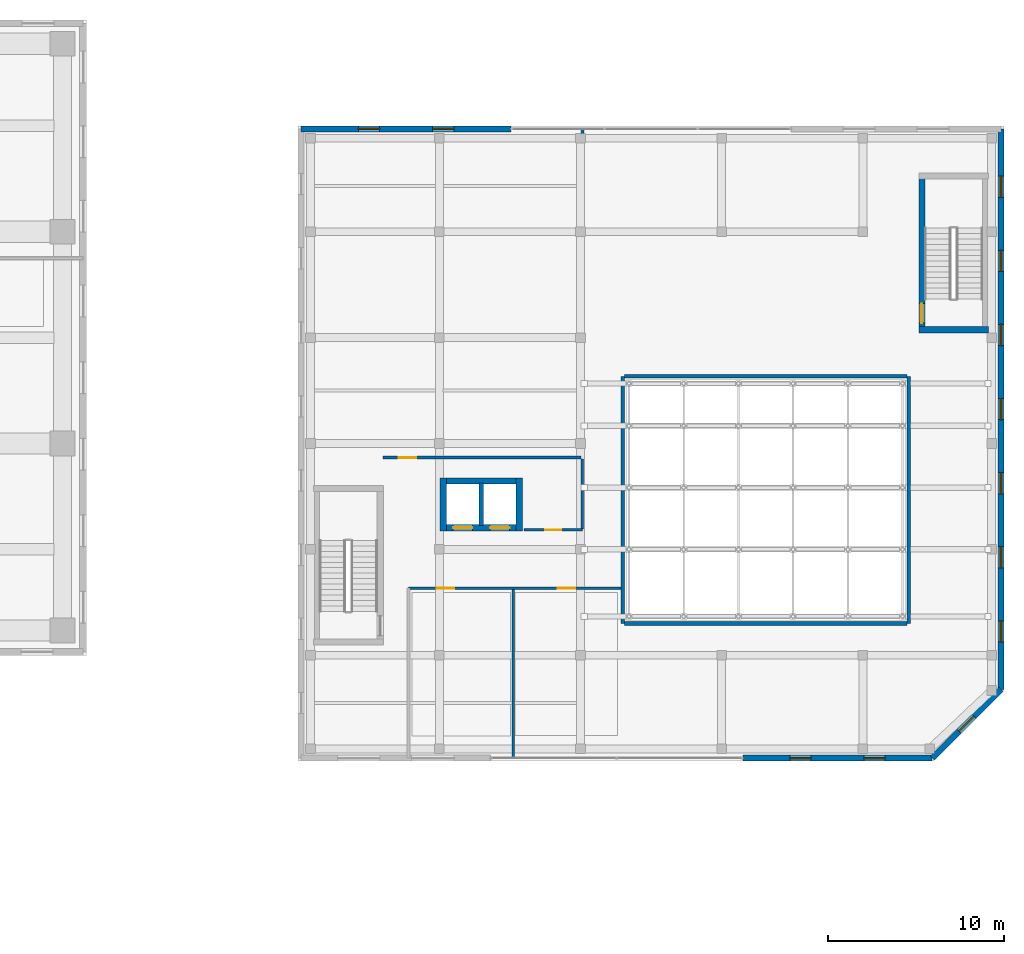
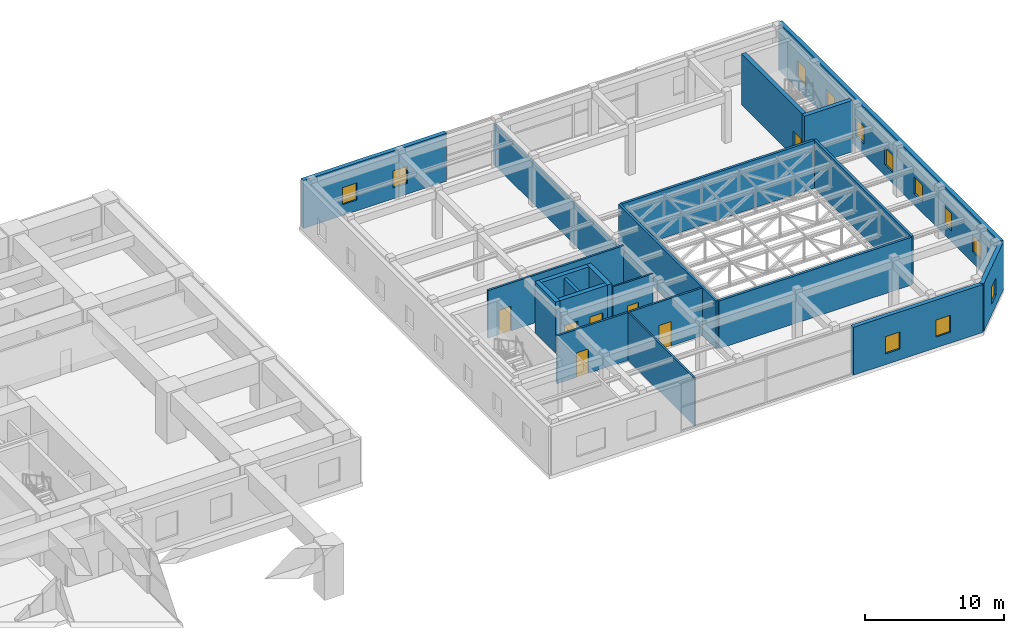
# One storey, part 28 of 33: 21 walls, 12 windows, 7 doors, 19 openings.
"""IFC4 building model written with IfcOpenShell, lengths in metres."""

import ifcopenshell
import ifcopenshell.guid

model = None  # the IFC model being written
_history = None  # IfcOwnerHistory: only IFC2X3 demands one
_inside = {}  # id of a spatial element -> (the spatial element, [elements in it])
_under = {}  # id of a project, library or spatial element -> (it, [spatial elements below it])
_declared = {}  # id of a project -> (the project, [libraries it declares])
_typed = {}  # id of a type object -> (the type object, [elements of that type])
_made_of = {}  # id of a material, layer set ... -> (it, [elements and type objects made of it])


def new_model(schema):
    """Start an empty IFC model of exactly this schema.

    Asked for "IFC4X3", IfcOpenShell would pick the latest addendum, in which some entities
    have other attributes; the version numbers below select the first issue.
    IFC2X3 requires an IfcOwnerHistory on every rooted entity: one is made here for all.
    """
    global model, _history
    if schema == "IFC4X3":
        model = ifcopenshell.file(schema_version=(4, 3, 0, 0))
    else:
        model = ifcopenshell.file(schema=schema)
    _inside.clear()
    _under.clear()
    _declared.clear()
    _typed.clear()
    _made_of.clear()
    _history = None
    if model.schema == "IFC2X3":
        org = make("IfcOrganization", Name="unknown")
        user = make(
            "IfcPersonAndOrganization",
            ThePerson=make("IfcPerson", FamilyName="unknown"),
            TheOrganization=org,
        )
        app = make(
            "IfcApplication",
            ApplicationDeveloper=org,
            Version="unknown",
            ApplicationFullName="unknown",
            ApplicationIdentifier="unknown",
        )
        _history = make(
            "IfcOwnerHistory",
            OwningUser=user,
            OwningApplication=app,
            ChangeAction="ADDED",
            CreationDate=0,
        )
    return model


def make(cls, **values):
    """One entity of the class cls with the attributes given. An attribute that is None is left unset."""
    return model.create_entity(
        cls, **{name: value for name, value in values.items() if value is not None}
    )


def rooted(cls, **values):
    """An entity with a GlobalId (a new one), such as an element, a storey or a relation."""
    return make(cls, GlobalId=ifcopenshell.guid.new(), OwnerHistory=_history, **values)


def si_unit(unit_type, name, prefix=None):
    """IfcSIUnit, for example si_unit("LENGTHUNIT", "METRE", prefix="MILLI")."""
    return make("IfcSIUnit", UnitType=unit_type, Prefix=prefix, Name=name)


def assignment(units):
    """IfcUnitAssignment: the units of a project."""
    return None if units is None else make("IfcUnitAssignment", Units=units)


def point(xyz):
    """IfcCartesianPoint."""
    return None if xyz is None else make("IfcCartesianPoint", Coordinates=xyz)


def direction(xyz):
    """IfcDirection."""
    return None if xyz is None else make("IfcDirection", DirectionRatios=xyz)


def frame(location, z_axis=None, x_axis=None):
    """IfcAxis2Placement3D, a coordinate frame: its origin and axes. An axis left out is left unset."""
    return make(
        "IfcAxis2Placement3D",
        Location=point(location),
        Axis=direction(z_axis),
        RefDirection=direction(x_axis),
    )


def frame_2d(location, x_axis=None):
    """IfcAxis2Placement2D, a coordinate frame in the plane: its origin and x axis."""
    return make(
        "IfcAxis2Placement2D", Location=point(location), RefDirection=direction(x_axis)
    )


def origin():
    """The frame at (0, 0, 0) with its axes left unset."""
    return frame((0.0, 0.0, 0.0))


def place(relative_to, where):
    """IfcLocalPlacement: puts the frame where relative to a parent placement (None: the world)."""
    return make(
        "IfcLocalPlacement", PlacementRelTo=relative_to, RelativePlacement=where
    )


def context(
    kind, dimensions, precision=None, world=None, true_north=None, identifier=None
):
    """IfcGeometricRepresentationContext, for example the 3D "Model" context."""
    return make(
        "IfcGeometricRepresentationContext",
        ContextIdentifier=identifier,
        ContextType=kind,
        CoordinateSpaceDimension=dimensions,
        Precision=precision,
        WorldCoordinateSystem=world,
        TrueNorth=true_north,
    )


def subcontext(parent, identifier, kind, view, scale=None):
    """IfcGeometricRepresentationSubContext, for example "Body" below "Model"."""
    return make(
        "IfcGeometricRepresentationSubContext",
        ContextIdentifier=identifier,
        ContextType=kind,
        ParentContext=parent,
        TargetScale=scale,
        TargetView=view,
    )


def project(units=None, contexts=None):
    """IfcProject with its units and contexts."""
    return rooted(
        "IfcProject",
        Name="project",
        RepresentationContexts=contexts,
        UnitsInContext=assignment(units),
    )


def spatial(cls, under=None, at=None, **own):
    """A site, building, storey or space (cls), placed at a placement, below another one or the project."""
    s = rooted(cls, ObjectPlacement=at, **own)
    if under is not None:
        _under.setdefault(under.id(), (under, []))[1].append(s)
    return s


def profile(cls, at=None, kind="AREA", **sizes):
    """A parametric profile (cls). Its sizes go by their IFC names, for example OverallWidth=200.0."""
    return make(cls, ProfileType=kind, Position=at, **sizes)


def rectangle(**sizes):
    """IfcRectangleProfileDef."""
    return profile("IfcRectangleProfileDef", **sizes)


def extrude(swept, where, along, depth):
    """IfcExtrudedAreaSolid: the profile swept, set in the frame where, extruded along a direction by depth."""
    return make(
        "IfcExtrudedAreaSolid",
        SweptArea=swept,
        Position=where,
        ExtrudedDirection=direction(along),
        Depth=depth,
    )


def shape(context_of_items, identifier, shape_type, items):
    """IfcShapeRepresentation: the items that make up one representation, for example the "Body"."""
    return make(
        "IfcShapeRepresentation",
        ContextOfItems=context_of_items,
        RepresentationIdentifier=identifier,
        RepresentationType=shape_type,
        Items=items,
    )


def source(mapping_origin, context_of_items, identifier, shape_type, items):
    """IfcRepresentationMap: a shape defined once, which mapped items show again and again."""
    return make(
        "IfcRepresentationMap",
        MappingOrigin=mapping_origin,
        MappedRepresentation=shape(context_of_items, identifier, shape_type, items),
    )


def transform(
    local_origin,
    x_axis=None,
    y_axis=None,
    z_axis=None,
    scale=None,
    scale2=None,
    scale3=None,
    uniform=True,
):
    """IfcCartesianTransformationOperator3D, or its non-uniform kind. x_axis, y_axis, z_axis: its Axis1, 2, 3."""
    if uniform:
        return make(
            "IfcCartesianTransformationOperator3D",
            Axis1=direction(x_axis),
            Axis2=direction(y_axis),
            LocalOrigin=point(local_origin),
            Scale=scale,
            Axis3=direction(z_axis),
        )
    return make(
        "IfcCartesianTransformationOperator3DnonUniform",
        Axis1=direction(x_axis),
        Axis2=direction(y_axis),
        LocalOrigin=point(local_origin),
        Scale=scale,
        Axis3=direction(z_axis),
        Scale2=scale2,
        Scale3=scale3,
    )


def mapped(mapping_source, mapping_target):
    """IfcMappedItem: shows the shape of a source again, moved by a transform."""
    return make(
        "IfcMappedItem", MappingSource=mapping_source, MappingTarget=mapping_target
    )


def material(Name=None, Category=None):
    """IfcMaterial."""
    return make("IfcMaterial", Name=Name, Category=Category)


def layer(
    of_material, thickness, ventilated=None, Name=None, Category=None, Priority=None
):
    """IfcMaterialLayer: one layer of a wall or slab, of a material (None: an air gap)."""
    return make(
        "IfcMaterialLayer",
        Material=of_material,
        LayerThickness=thickness,
        IsVentilated=ventilated,
        Name=Name,
        Category=Category,
        Priority=Priority,
    )


def layer_set(layers, Name=None):
    """IfcMaterialLayerSet."""
    return make("IfcMaterialLayerSet", MaterialLayers=layers, LayerSetName=Name)


def made_of(thing, what):
    """Note that an element or type object is made of a material, layer set ...; save() writes the relation."""
    if what is not None:
        _made_of.setdefault(what.id(), (what, []))[1].append(thing)
    return thing


def type_object(cls, material=None, **own):
    """A type object (cls), such as IfcWallType, which elements share."""
    return made_of(rooted(cls, **own), material)


def element(
    cls,
    number,
    at=None,
    inside=None,
    cuts=None,
    type_object=None,
    material=None,
    context=None,
    identifier="Body",
    shape_type=None,
    held_by="IfcProductDefinitionShape",
    body=None,
    shapes=None,
    **own,
):
    """One element of the class cls, such as IfcWall. Its Tag is "e" and its number.

    at: its placement. inside: the storey or other place that contains it. cuts: it is an
    opening in that element (IfcRelVoidsElement). A single representation is given by context,
    identifier, shape_type and body (its items); several are given by shapes. held_by: the class
    of the entity that holds the representations. save() writes the other relations.
    """
    e = rooted(cls, Tag="e%d" % number, ObjectPlacement=at, **own)
    if body is not None:
        shapes = [shape(context, identifier, shape_type, body)]
    if shapes is not None:
        e.Representation = make(held_by, Representations=shapes)
    if inside is not None:
        _inside.setdefault(inside.id(), (inside, []))[1].append(e)
    if cuts is not None:
        rooted(
            "IfcRelVoidsElement", RelatingBuildingElement=cuts, RelatedOpeningElement=e
        )
    if type_object is not None:
        _typed.setdefault(type_object.id(), (type_object, []))[1].append(e)
    return made_of(e, material)


def fill(opening, filler):
    """IfcRelFillsElement: the door or window that sits in an opening."""
    return rooted(
        "IfcRelFillsElement",
        RelatingOpeningElement=opening,
        RelatedBuildingElement=filler,
    )


def aggregate(whole, parts):
    """IfcRelAggregates: a whole, such as a stair, and the parts it consists of."""
    return rooted("IfcRelAggregates", RelatingObject=whole, RelatedObjects=parts)


def save(model, path):
    """Write the relations noted so far, then the file.

    IfcRelAggregates (storeys below a building ...), IfcRelContainedInSpatialStructure (elements
    in a storey), IfcRelDefinesByType, IfcRelAssociatesMaterial and IfcRelDeclares: one each for
    every whole, place, type object, material and project.
    """
    for whole, parts in _under.values():
        aggregate(whole, parts)
    for where, things in _inside.values():
        rooted(
            "IfcRelContainedInSpatialStructure",
            RelatedElements=things,
            RelatingStructure=where,
        )
    for kind, things in _typed.values():
        rooted("IfcRelDefinesByType", RelatedObjects=things, RelatingType=kind)
    for what, things in _made_of.values():
        rooted("IfcRelAssociatesMaterial", RelatedObjects=things, RelatingMaterial=what)
    for by, libraries in _declared.values():
        rooted("IfcRelDeclares", RelatingContext=by, RelatedDefinitions=libraries)
    model.write(path)


model = new_model("IFC4")

# Units and contexts
model_context = context("Model", 3, precision=1e-05, world=origin(), true_north=direction((0.0, 1.0)))
body_context = subcontext(model_context, "Body", "Model", "MODEL_VIEW")
ifc_project = project(units=[si_unit("LENGTHUNIT", "METRE"), si_unit("AREAUNIT", "SQUARE_METRE"), si_unit("VOLUMEUNIT", "CUBIC_METRE"), si_unit("PLANEANGLEUNIT", "RADIAN"), si_unit("MASSUNIT", "GRAM", prefix="KILO")], contexts=[model_context])

# Site, building, storey
site_placement = place(None, origin())
site = spatial("IfcSite", under=ifc_project, at=site_placement, CompositionType="ELEMENT")
building_placement = place(site_placement, origin())
building = spatial("IfcBuilding", under=site, at=building_placement, Name="Khoralis Quay Care Tower", CompositionType="ELEMENT")
storey_placement = place(building_placement, frame((0.0, 0.0, 18.0)))
storey = spatial("IfcBuildingStorey", under=building, at=storey_placement, Name="L04", CompositionType="ELEMENT", Elevation=18.0)

# Walls
ifc_material_1 = material(Name="Gypsum plasterboard on acoustic metal stud")
ifc_layer_1 = layer(ifc_material_1, 0.199951171875)
ifc_layer_set_1 = layer_set([ifc_layer_1], Name="Gypsum plasterboard on acoustic metal stud")
wall_type_1 = type_object("IfcWallType", Name="WL-COMP-200", PredefinedType="PARTITIONING", material=ifc_layer_set_1)
wall_1_placement = place(storey_placement, frame((86.39990234375, 13.800048828125, 0.0), z_axis=(0.0, 0.0, 1.0), x_axis=(0.0, 1.0, 0.0)))
element("IfcWall", 1, at=wall_1_placement, inside=storey, type_object=wall_type_1, Name="L04 Sports Hall Void West Wall", PredefinedType="PARTITIONING", context=body_context, shape_type="SweptSolid", body=[
    extrude(rectangle(XDim=14.0, YDim=0.199951171875, at=frame_2d((7.0, 0.0))), origin(), (0.0, 0.0, 1.0), 4.18994140625),
])
wall_2_placement = place(storey_placement, frame((86.4951171875, 27.800048828125, 0.0), z_axis=(0.0, 0.0, 1.0), x_axis=(1.0, 0.0, 0.0)))
element("IfcWall", 2, at=wall_2_placement, inside=storey, type_object=wall_type_1, Name="L04 Sports Hall Void North Wall", PredefinedType="PARTITIONING", context=body_context, shape_type="SweptSolid", body=[
    extrude(rectangle(XDim=16.009765625, YDim=0.199951171875, at=frame_2d((8.0048828125, 0.0))), origin(), (0.0, 0.0, 1.0), 4.18994140625),
])
wall_3_placement = place(storey_placement, frame((102.60009765625, 13.800048828125, 0.0), z_axis=(0.0, 0.0, 1.0), x_axis=(0.0, 1.0, 0.0)))
element("IfcWall", 3, at=wall_3_placement, inside=storey, type_object=wall_type_1, Name="L04 Sports Hall Void East Wall", PredefinedType="PARTITIONING", context=body_context, shape_type="SweptSolid", body=[
    extrude(rectangle(XDim=14.0, YDim=0.199951171875, at=frame_2d((7.0, 0.0))), origin(), (0.0, 0.0, 1.0), 4.18994140625),
])
wall_4_placement = place(storey_placement, frame((86.4951171875, 13.800048828125, 0.0), z_axis=(0.0, 0.0, 1.0), x_axis=(1.0, 0.0, 0.0)))
element("IfcWall", 4, at=wall_4_placement, inside=storey, type_object=wall_type_1, Name="L04 Sports Hall Void South Wall", PredefinedType="PARTITIONING", context=body_context, shape_type="SweptSolid", body=[
    extrude(rectangle(XDim=16.009765625, YDim=0.199951171875, at=frame_2d((8.0048828125, 0.0))), origin(), (0.0, 0.0, 1.0), 4.18994140625),
])

# Wall, openings, doors
ifc_layer_2 = layer(ifc_material_1, 0.1650390625)
ifc_layer_set_2 = layer_set([ifc_layer_2], Name="Gypsum plasterboard on acoustic metal stud")
wall_type_2 = type_object("IfcWallType", Name="WL-CORR-165", PredefinedType="PARTITIONING", material=ifc_layer_set_2)
wall_5_placement = place(storey_placement, frame((74.25, 15.800048828125, 0.0), z_axis=(0.0, 0.0, 1.0), x_axis=(1.0, 0.0, 0.0)))
wall_5 = element("IfcWall", 5, at=wall_5_placement, inside=storey, type_object=wall_type_2, Name="L04 School Corridor South Wall", PredefinedType="PARTITIONING", context=body_context, shape_type="SweptSolid", body=[
    extrude(rectangle(XDim=12.054931640625, YDim=0.1650390625, at=frame_2d((6.02734375, 0.0))), origin(), (0.0, 0.0, 1.0), 4.18994140625),
])
opening_1_placement = place(wall_5_placement, frame((1.60009765625, 0.0, 0.0)))
opening_1 = element("IfcOpeningElement", 6, at=opening_1_placement, cuts=wall_5, Name="Opening SCD1", PredefinedType="OPENING", context=body_context, shape_type="SweptSolid", body=[
    extrude(rectangle(XDim=1.0, YDim=2.14990234375, at=frame_2d((0.5, 1.074951171875))), frame((0.0, 0.092529296875, 0.0), z_axis=(0.0, -1.0, 0.0), x_axis=(1.0, 0.0, 0.0)), (0.0, 0.0, 1.0), 0.18505859375),
])
opening_2_placement = place(wall_5_placement, frame((8.449951171875, 0.0, 0.0)))
opening_2 = element("IfcOpeningElement", 7, at=opening_2_placement, cuts=wall_5, Name="Opening SCD1", PredefinedType="OPENING", context=body_context, shape_type="SweptSolid", body=[
    extrude(rectangle(XDim=1.0, YDim=2.14990234375, at=frame_2d((0.5, 1.074951171875))), frame((0.0, 0.092529296875, 0.0), z_axis=(0.0, -1.0, 0.0), x_axis=(1.0, 0.0, 0.0)), (0.0, 0.0, 1.0), 0.18505859375),
])
ifc_material_2 = material(Name="Acoustic hardwood timber", Category="wood")
door_type_1 = type_object("IfcDoorType", Name="DR-SCH-1000X2150", OperationType="NOTDEFINED", PredefinedType="DOOR", material=ifc_material_2)
shared_shape_1 = source(origin(), body_context, "Body", "SweptSolid", [
    extrude(rectangle(XDim=1.0, YDim=2.14990234375, at=frame_2d((0.5, 1.074951171875))), frame((0.0, 0.02490234375, 0.0), z_axis=(0.0, -1.0, 0.0), x_axis=(1.0, 0.0, 0.0)), (0.0, 0.0, 1.0), 0.050048828125),
])
door_1_placement = place(opening_1_placement, frame((1.0, 0.0, 0.0), z_axis=(0.0, 0.0, 1.0), x_axis=(-1.0, 0.0, 0.0)))
door_1 = element("IfcDoor", 8, at=door_1_placement, inside=storey, type_object=door_type_1, Name="L04 Primary Classroom Door", OperationType="SINGLE_SWING_LEFT", OverallHeight=2.14990234375, OverallWidth=1.0, PredefinedType="DOOR", context=body_context, shape_type="MappedRepresentation", body=[
    mapped(shared_shape_1, transform((0.0, 0.0, 0.0), scale=1.0)),
])
fill(opening_1, door_1)
door_2_placement = place(opening_2_placement, frame((1.0, 0.0, 0.0), z_axis=(0.0, 0.0, 1.0), x_axis=(-1.0, 0.0, 0.0)))
door_2 = element("IfcDoor", 9, at=door_2_placement, inside=storey, type_object=door_type_1, Name="L04 STEM Science Laboratory Door", OperationType="SINGLE_SWING_RIGHT", OverallHeight=2.14990234375, OverallWidth=1.0, PredefinedType="DOOR", context=body_context, shape_type="MappedRepresentation", body=[
    mapped(shared_shape_1, transform((0.0, 0.0, 0.0), scale=1.0)),
])
fill(opening_2, door_2)

# Wall, opening, door
wall_6_placement = place(storey_placement, frame((72.800048828125, 23.199951171875, 0.0), z_axis=(0.0, 0.0, 1.0), x_axis=(1.0, 0.0, 0.0)))
wall_6 = element("IfcWall", 10, at=wall_6_placement, inside=storey, type_object=wall_type_2, Name="L04 School Corridor North Wall", PredefinedType="PARTITIONING", context=body_context, shape_type="SweptSolid", body=[
    extrude(rectangle(XDim=11.242431640625, YDim=0.1650390625, at=frame_2d((5.62109375, 0.0))), origin(), (0.0, 0.0, 1.0), 4.18994140625),
])
opening_3_placement = place(wall_6_placement, frame((0.89990234375, 0.0, 0.0)))
opening_3 = element("IfcOpeningElement", 11, at=opening_3_placement, cuts=wall_6, Name="Opening SCD1", PredefinedType="OPENING", context=body_context, shape_type="SweptSolid", body=[
    extrude(rectangle(XDim=1.0, YDim=2.14990234375, at=frame_2d((0.5, 1.074951171875))), frame((0.0, 0.092529296875, 0.0), z_axis=(0.0, -1.0, 0.0), x_axis=(1.0, 0.0, 0.0)), (0.0, 0.0, 1.0), 0.18505859375),
])
door_3_placement = place(opening_3_placement, origin())
door_3 = element("IfcDoor", 12, at=door_3_placement, inside=storey, type_object=door_type_1, Name="Art Workshop Door", OperationType="SINGLE_SWING_LEFT", OverallHeight=2.14990234375, OverallWidth=1.0, PredefinedType="DOOR", context=body_context, shape_type="MappedRepresentation", body=[
    mapped(shared_shape_1, transform((0.0, 0.0, 0.0), scale=1.0)),
])
fill(opening_3, door_3)

# Wall
wall_7_placement = place(storey_placement, frame((84.1201171875, 23.199951171875, 0.0), z_axis=(0.0, 0.0, 1.0), x_axis=(0.0, 1.0, 0.0)))
element("IfcWall", 13, at=wall_7_placement, inside=storey, type_object=wall_type_2, Name="L04 Workshop Corridor Wall", PredefinedType="PARTITIONING", context=body_context, shape_type="SweptSolid", body=[
    extrude(rectangle(XDim=18.614990234375, YDim=0.1650390625, at=frame_2d((9.3076171875, 0.0))), origin(), (0.0, 0.0, 1.0), 3.5400390625),
])

# Wall, openings, windows
ifc_material_3 = material(Name="Precast concrete C40/50", Category="concrete")
ifc_layer_3 = layer(ifc_material_3, 0.340087890625)
ifc_layer_set_3 = layer_set([ifc_layer_3], Name="Precast concrete C40/50")
wall_type_3 = type_object("IfcWallType", Name="WL-EXT-SCH-340", PredefinedType="SOLIDWALL", material=ifc_layer_set_3)
wall_8_placement = place(storey_placement, frame((93.201904296875, 6.169921875, 0.0), z_axis=(0.0, 0.0, 1.0), x_axis=(1.0, 0.0, 0.0)))
wall_8 = element("IfcWall", 14, at=wall_8_placement, inside=storey, type_object=wall_type_3, Name="L04 External Facade Wall WL-SCH-L04-E0B", PredefinedType="SOLIDWALL", context=body_context, shape_type="SweptSolid", body=[
    extrude(rectangle(XDim=10.727783203125, YDim=0.340087890625, at=frame_2d((5.36376953125, 0.0))), origin(), (0.0, 0.0, 1.0), 4.199951171875),
])
opening_4_placement = place(wall_8_placement, frame((2.663818359375, 0.0, 0.949951171875)))
opening_4 = element("IfcOpeningElement", 15, at=opening_4_placement, cuts=wall_8, Name="Opening W6", PredefinedType="OPENING", context=body_context, shape_type="SweptSolid", body=[
    extrude(rectangle(XDim=1.199951171875, YDim=1.5, at=frame_2d((0.60009765625, 0.75))), frame((0.0, 0.18017578125, 0.0), z_axis=(0.0, -1.0, 0.0), x_axis=(1.0, 0.0, 0.0)), (0.0, 0.0, 1.0), 0.360107421875),
])
opening_5_placement = place(wall_8_placement, frame((6.86376953125, 0.0, 0.949951171875)))
opening_5 = element("IfcOpeningElement", 16, at=opening_5_placement, cuts=wall_8, Name="Opening W6", PredefinedType="OPENING", context=body_context, shape_type="SweptSolid", body=[
    extrude(rectangle(XDim=1.199951171875, YDim=1.5, at=frame_2d((0.60009765625, 0.75))), frame((0.0, 0.18017578125, 0.0), z_axis=(0.0, -1.0, 0.0), x_axis=(1.0, 0.0, 0.0)), (0.0, 0.0, 1.0), 0.360107421875),
])
ifc_material_4 = material(Name="Low-E solar-control double glazing", Category="glass")
window_type = type_object("IfcWindowType", Name="WN-SCH-1200X1500", PartitioningType="SINGLE_PANEL", PredefinedType="WINDOW", material=ifc_material_4)
shared_shape_2 = source(origin(), body_context, "Body", "SweptSolid", [
    extrude(rectangle(XDim=1.199951171875, YDim=1.5, at=frame_2d((0.60009765625, 0.75))), frame((0.0, 0.030029296875, 0.0), z_axis=(0.0, -1.0, 0.0), x_axis=(1.0, 0.0, 0.0)), (0.0, 0.0, 1.0), 0.06005859375),
])
window_1_placement = place(opening_4_placement, origin())
window_1 = element("IfcWindow", 17, at=window_1_placement, inside=storey, type_object=window_type, Name="WN-SCH-L04-0B Classroom Window 01", OverallHeight=1.5, OverallWidth=1.199951171875, PartitioningType="SINGLE_PANEL", PredefinedType="WINDOW", context=body_context, shape_type="MappedRepresentation", body=[
    mapped(shared_shape_2, transform((0.0, 0.0, 0.0), scale=1.0)),
])
fill(opening_4, window_1)
window_2_placement = place(opening_5_placement, origin())
window_2 = element("IfcWindow", 18, at=window_2_placement, inside=storey, type_object=window_type, Name="WN-SCH-L04-0B Classroom Window 02", OverallHeight=1.5, OverallWidth=1.199951171875, PartitioningType="SINGLE_PANEL", PredefinedType="WINDOW", context=body_context, shape_type="MappedRepresentation", body=[
    mapped(shared_shape_2, transform((0.0, 0.0, 0.0), scale=1.0)),
])
fill(opening_5, window_2)

# Wall, opening, window
wall_9_placement = place(storey_placement, frame((103.9296875, 6.169921875, 0.0), z_axis=(0.0, 0.0, 1.0), x_axis=(0.707106781187, 0.707106781187, 0.0)))
wall_9 = element("IfcWall", 19, at=wall_9_placement, inside=storey, type_object=wall_type_3, Name="L04 External Facade Wall WL-SCH-L04-E1", PredefinedType="SOLIDWALL", context=body_context, shape_type="SweptSolid", body=[
    extrude(rectangle(XDim=5.515869140625, YDim=0.340087890625, at=frame_2d((2.7578125, 0.0))), origin(), (0.0, 0.0, 1.0), 4.199951171875),
])
opening_6_placement = place(wall_9_placement, frame((2.157958984375, 0.0, 0.949951171875)))
opening_6 = element("IfcOpeningElement", 20, at=opening_6_placement, cuts=wall_9, Name="Opening W6", PredefinedType="OPENING", context=body_context, shape_type="SweptSolid", body=[
    extrude(rectangle(XDim=1.199951171875, YDim=1.5, at=frame_2d((0.60009765625, 0.75))), frame((0.0, 0.18017578125, 0.0), z_axis=(0.0, -1.0, 0.0), x_axis=(1.0, 0.0, 0.0)), (0.0, 0.0, 1.0), 0.360107421875),
])
window_3_placement = place(opening_6_placement, origin())
window_3 = element("IfcWindow", 21, at=window_3_placement, inside=storey, type_object=window_type, Name="WN-SCH-L04-E1 Classroom Window 01", OverallHeight=1.5, OverallWidth=1.199951171875, PartitioningType="SINGLE_PANEL", PredefinedType="WINDOW", context=body_context, shape_type="MappedRepresentation", body=[
    mapped(shared_shape_2, transform((0.0, 0.0, 0.0), scale=1.0)),
])
fill(opening_6, window_3)

# Wall, openings, windows
wall_10_placement = place(storey_placement, frame((107.830078125, 10.0703125, 0.0), z_axis=(0.0, 0.0, 1.0), x_axis=(0.0, 1.0, 0.0)))
wall_10 = element("IfcWall", 22, at=wall_10_placement, inside=storey, type_object=wall_type_3, Name="L04 External Facade Wall WL-SCH-L04-E2", PredefinedType="SOLIDWALL", context=body_context, shape_type="SweptSolid", body=[
    extrude(rectangle(XDim=31.759765625, YDim=0.340087890625, at=frame_2d((15.8798828125, 0.0))), origin(), (0.0, 0.0, 1.0), 4.199951171875),
])
opening_7_placement = place(wall_10_placement, frame((2.6796875, 0.0, 0.949951171875)))
opening_7 = element("IfcOpeningElement", 23, at=opening_7_placement, cuts=wall_10, Name="Opening W6", PredefinedType="OPENING", context=body_context, shape_type="SweptSolid", body=[
    extrude(rectangle(XDim=1.199951171875, YDim=1.5, at=frame_2d((0.60009765625, 0.75))), frame((0.0, 0.18017578125, 0.0), z_axis=(0.0, -1.0, 0.0), x_axis=(1.0, 0.0, 0.0)), (0.0, 0.0, 1.0), 0.360107421875),
])
opening_8_placement = place(wall_10_placement, frame((6.8798828125, 0.0, 0.949951171875)))
opening_8 = element("IfcOpeningElement", 24, at=opening_8_placement, cuts=wall_10, Name="Opening W6", PredefinedType="OPENING", context=body_context, shape_type="SweptSolid", body=[
    extrude(rectangle(XDim=1.199951171875, YDim=1.5, at=frame_2d((0.60009765625, 0.75))), frame((0.0, 0.18017578125, 0.0), z_axis=(0.0, -1.0, 0.0), x_axis=(1.0, 0.0, 0.0)), (0.0, 0.0, 1.0), 0.360107421875),
])
opening_9_placement = place(wall_10_placement, frame((11.079833984375, 0.0, 0.949951171875)))
opening_9 = element("IfcOpeningElement", 25, at=opening_9_placement, cuts=wall_10, Name="Opening W6", PredefinedType="OPENING", context=body_context, shape_type="SweptSolid", body=[
    extrude(rectangle(XDim=1.199951171875, YDim=1.5, at=frame_2d((0.60009765625, 0.75))), frame((0.0, 0.18017578125, 0.0), z_axis=(0.0, -1.0, 0.0), x_axis=(1.0, 0.0, 0.0)), (0.0, 0.0, 1.0), 0.360107421875),
])
opening_10_placement = place(wall_10_placement, frame((15.27978515625, 0.0, 0.949951171875)))
opening_10 = element("IfcOpeningElement", 26, at=opening_10_placement, cuts=wall_10, Name="Opening W6", PredefinedType="OPENING", context=body_context, shape_type="SweptSolid", body=[
    extrude(rectangle(XDim=1.199951171875, YDim=1.5, at=frame_2d((0.60009765625, 0.75))), frame((0.0, 0.18017578125, 0.0), z_axis=(0.0, -1.0, 0.0), x_axis=(1.0, 0.0, 0.0)), (0.0, 0.0, 1.0), 0.360107421875),
])
opening_11_placement = place(wall_10_placement, frame((19.479736328125, 0.0, 0.949951171875)))
opening_11 = element("IfcOpeningElement", 27, at=opening_11_placement, cuts=wall_10, Name="Opening W6", PredefinedType="OPENING", context=body_context, shape_type="SweptSolid", body=[
    extrude(rectangle(XDim=1.199951171875, YDim=1.5, at=frame_2d((0.60009765625, 0.75))), frame((0.0, 0.18017578125, 0.0), z_axis=(0.0, -1.0, 0.0), x_axis=(1.0, 0.0, 0.0)), (0.0, 0.0, 1.0), 0.360107421875),
])
opening_12_placement = place(wall_10_placement, frame((23.6796875, 0.0, 0.949951171875)))
opening_12 = element("IfcOpeningElement", 28, at=opening_12_placement, cuts=wall_10, Name="Opening W6", PredefinedType="OPENING", context=body_context, shape_type="SweptSolid", body=[
    extrude(rectangle(XDim=1.199951171875, YDim=1.5, at=frame_2d((0.60009765625, 0.75))), frame((0.0, 0.18017578125, 0.0), z_axis=(0.0, -1.0, 0.0), x_axis=(1.0, 0.0, 0.0)), (0.0, 0.0, 1.0), 0.360107421875),
])
opening_13_placement = place(wall_10_placement, frame((27.8798828125, 0.0, 0.949951171875)))
opening_13 = element("IfcOpeningElement", 29, at=opening_13_placement, cuts=wall_10, Name="Opening W6", PredefinedType="OPENING", context=body_context, shape_type="SweptSolid", body=[
    extrude(rectangle(XDim=1.199951171875, YDim=1.5, at=frame_2d((0.60009765625, 0.75))), frame((0.0, 0.18017578125, 0.0), z_axis=(0.0, -1.0, 0.0), x_axis=(1.0, 0.0, 0.0)), (0.0, 0.0, 1.0), 0.360107421875),
])
window_4_placement = place(opening_7_placement, origin())
window_4 = element("IfcWindow", 30, at=window_4_placement, inside=storey, type_object=window_type, Name="WN-SCH-L04-E2 Classroom Window 01", OverallHeight=1.5, OverallWidth=1.199951171875, PartitioningType="SINGLE_PANEL", PredefinedType="WINDOW", context=body_context, shape_type="MappedRepresentation", body=[
    mapped(shared_shape_2, transform((0.0, 0.0, 0.0), scale=1.0)),
])
fill(opening_7, window_4)
window_5_placement = place(opening_8_placement, origin())
window_5 = element("IfcWindow", 31, at=window_5_placement, inside=storey, type_object=window_type, Name="WN-SCH-L04-E2 Classroom Window 02", OverallHeight=1.5, OverallWidth=1.199951171875, PartitioningType="SINGLE_PANEL", PredefinedType="WINDOW", context=body_context, shape_type="MappedRepresentation", body=[
    mapped(shared_shape_2, transform((0.0, 0.0, 0.0), scale=1.0)),
])
fill(opening_8, window_5)
window_6_placement = place(opening_9_placement, origin())
window_6 = element("IfcWindow", 32, at=window_6_placement, inside=storey, type_object=window_type, Name="WN-SCH-L04-E2 Classroom Window 03", OverallHeight=1.5, OverallWidth=1.199951171875, PartitioningType="SINGLE_PANEL", PredefinedType="WINDOW", context=body_context, shape_type="MappedRepresentation", body=[
    mapped(shared_shape_2, transform((0.0, 0.0, 0.0), scale=1.0)),
])
fill(opening_9, window_6)
window_7_placement = place(opening_10_placement, origin())
window_7 = element("IfcWindow", 33, at=window_7_placement, inside=storey, type_object=window_type, Name="WN-SCH-L04-E2 Classroom Window 04", OverallHeight=1.5, OverallWidth=1.199951171875, PartitioningType="SINGLE_PANEL", PredefinedType="WINDOW", context=body_context, shape_type="MappedRepresentation", body=[
    mapped(shared_shape_2, transform((0.0, 0.0, 0.0), scale=1.0)),
])
fill(opening_10, window_7)
window_8_placement = place(opening_11_placement, origin())
window_8 = element("IfcWindow", 34, at=window_8_placement, inside=storey, type_object=window_type, Name="WN-SCH-L04-E2 Classroom Window 05", OverallHeight=1.5, OverallWidth=1.199951171875, PartitioningType="SINGLE_PANEL", PredefinedType="WINDOW", context=body_context, shape_type="MappedRepresentation", body=[
    mapped(shared_shape_2, transform((0.0, 0.0, 0.0), scale=1.0)),
])
fill(opening_11, window_8)
window_9_placement = place(opening_12_placement, origin())
window_9 = element("IfcWindow", 35, at=window_9_placement, inside=storey, type_object=window_type, Name="WN-SCH-L04-E2 Classroom Window 06", OverallHeight=1.5, OverallWidth=1.199951171875, PartitioningType="SINGLE_PANEL", PredefinedType="WINDOW", context=body_context, shape_type="MappedRepresentation", body=[
    mapped(shared_shape_2, transform((0.0, 0.0, 0.0), scale=1.0)),
])
fill(opening_12, window_9)
window_10_placement = place(opening_13_placement, origin())
window_10 = element("IfcWindow", 36, at=window_10_placement, inside=storey, type_object=window_type, Name="WN-SCH-L04-E2 Classroom Window 07", OverallHeight=1.5, OverallWidth=1.199951171875, PartitioningType="SINGLE_PANEL", PredefinedType="WINDOW", context=body_context, shape_type="MappedRepresentation", body=[
    mapped(shared_shape_2, transform((0.0, 0.0, 0.0), scale=1.0)),
])
fill(opening_13, window_10)

wall_11_placement = place(storey_placement, frame((80.068115234375, 41.830078125, 0.0), z_axis=(0.0, 0.0, 1.0), x_axis=(-1.0, 0.0, 0.0)))
wall_11 = element("IfcWall", 37, at=wall_11_placement, inside=storey, type_object=wall_type_3, Name="L04 External Facade Wall WL-SCH-L04-E3B", PredefinedType="SOLIDWALL", context=body_context, shape_type="SweptSolid", body=[
    extrude(rectangle(XDim=11.898193359375, YDim=0.340087890625, at=frame_2d((5.94921875, 0.0))), origin(), (0.0, 0.0, 1.0), 4.199951171875),
])
opening_14_placement = place(wall_11_placement, frame((3.2490234375, 0.0, 0.949951171875)))
opening_14 = element("IfcOpeningElement", 38, at=opening_14_placement, cuts=wall_11, Name="Opening W6", PredefinedType="OPENING", context=body_context, shape_type="SweptSolid", body=[
    extrude(rectangle(XDim=1.199951171875, YDim=1.5, at=frame_2d((0.60009765625, 0.75))), frame((0.0, 0.18017578125, 0.0), z_axis=(0.0, -1.0, 0.0), x_axis=(1.0, 0.0, 0.0)), (0.0, 0.0, 1.0), 0.360107421875),
])
opening_15_placement = place(wall_11_placement, frame((7.448974609375, 0.0, 0.949951171875)))
opening_15 = element("IfcOpeningElement", 39, at=opening_15_placement, cuts=wall_11, Name="Opening W6", PredefinedType="OPENING", context=body_context, shape_type="SweptSolid", body=[
    extrude(rectangle(XDim=1.199951171875, YDim=1.5, at=frame_2d((0.60009765625, 0.75))), frame((0.0, 0.18017578125, 0.0), z_axis=(0.0, -1.0, 0.0), x_axis=(1.0, 0.0, 0.0)), (0.0, 0.0, 1.0), 0.360107421875),
])
window_11_placement = place(opening_14_placement, origin())
window_11 = element("IfcWindow", 40, at=window_11_placement, inside=storey, type_object=window_type, Name="WN-SCH-L04-3B Classroom Window 01", OverallHeight=1.5, OverallWidth=1.199951171875, PartitioningType="SINGLE_PANEL", PredefinedType="WINDOW", context=body_context, shape_type="MappedRepresentation", body=[
    mapped(shared_shape_2, transform((0.0, 0.0, 0.0), scale=1.0)),
])
fill(opening_14, window_11)
window_12_placement = place(opening_15_placement, origin())
window_12 = element("IfcWindow", 41, at=window_12_placement, inside=storey, type_object=window_type, Name="WN-SCH-L04-3B Classroom Window 02", OverallHeight=1.5, OverallWidth=1.199951171875, PartitioningType="SINGLE_PANEL", PredefinedType="WINDOW", context=body_context, shape_type="MappedRepresentation", body=[
    mapped(shared_shape_2, transform((0.0, 0.0, 0.0), scale=1.0)),
])
fill(opening_15, window_12)

# Wall, opening, door
ifc_material_5 = material(Name="Moisture-resistant gypsum and ceramic tile")
ifc_layer_4 = layer(ifc_material_5, 0.280029296875)
ifc_layer_set_4 = layer_set([ifc_layer_4], Name="Moisture-resistant gypsum and ceramic tile")
wall_type_4 = type_object("IfcWallType", Name="WL-PLUMB-280", PredefinedType="PLUMBINGWALL", material=ifc_layer_set_4)
wall_12_placement = place(storey_placement, frame((80.800048828125, 19.10009765625, 0.0), z_axis=(0.0, 0.0, 1.0), x_axis=(1.0, 0.0, 0.0)))
wall_12 = element("IfcWall", 42, at=wall_12_placement, inside=storey, type_object=wall_type_4, Name="L04 School WC South Wall", PredefinedType="PLUMBINGWALL", context=body_context, shape_type="SweptSolid", body=[
    extrude(rectangle(XDim=3.300048828125, YDim=0.139892578125, at=frame_2d((1.64990234375, 0.0))), origin(), (0.0, 0.0, 1.0), 4.18994140625),
])
opening_16_placement = place(wall_12_placement, frame((1.199951171875, 0.0, 0.0)))
opening_16 = element("IfcOpeningElement", 43, at=opening_16_placement, cuts=wall_12, Name="Opening WD1", PredefinedType="OPENING", context=body_context, shape_type="SweptSolid", body=[
    extrude(rectangle(XDim=0.89990234375, YDim=2.10009765625, at=frame_2d((0.449951171875, 1.050048828125))), frame((0.0, 0.080078125, 0.0), z_axis=(0.0, -1.0, 0.0), x_axis=(1.0, 0.0, 0.0)), (0.0, 0.0, 1.0), 0.159912109375),
])
door_type_2 = type_object("IfcDoorType", Name="DR-BATH-900X2100", OperationType="NOTDEFINED", PredefinedType="DOOR", material=ifc_material_2)
shared_shape_3 = source(origin(), body_context, "Body", "SweptSolid", [
    extrude(rectangle(XDim=0.89990234375, YDim=2.10009765625, at=frame_2d((0.449951171875, 1.050048828125))), frame((0.0, 0.02490234375, 0.0), z_axis=(0.0, -1.0, 0.0), x_axis=(1.0, 0.0, 0.0)), (0.0, 0.0, 1.0), 0.050048828125),
])
door_4_placement = place(opening_16_placement, frame((0.89990234375, 0.0, 0.0), z_axis=(0.0, 0.0, 1.0), x_axis=(-1.0, 0.0, 0.0)))
door_4 = element("IfcDoor", 44, at=door_4_placement, inside=storey, type_object=door_type_2, Name="L04 School Accessible WC Door", OperationType="SINGLE_SWING_LEFT", OverallHeight=2.10009765625, OverallWidth=0.89990234375, PredefinedType="DOOR", context=body_context, shape_type="MappedRepresentation", body=[
    mapped(shared_shape_3, transform((0.0, 0.0, 0.0), scale=1.0)),
])
fill(opening_16, door_4)

# Wall
wall_13_placement = place(storey_placement, frame((84.10009765625, 19.1650390625, 0.0), z_axis=(0.0, 0.0, 1.0), x_axis=(0.0, 1.0, 0.0)))
element("IfcWall", 45, at=wall_13_placement, inside=storey, type_object=wall_type_4, Name="L04 School WC East Wall", PredefinedType="PLUMBINGWALL", context=body_context, shape_type="SweptSolid", body=[
    extrude(rectangle(XDim=3.95751953125, YDim=0.139892578125, at=frame_2d((1.978759765625, 0.0))), origin(), (0.0, 0.0, 1.0), 3.5400390625),
])

# Wall, opening, door
ifc_material_6 = material(Name="Concrete C40/50", Category="concrete")
ifc_layer_5 = layer(ifc_material_6, 0.35009765625)
ifc_layer_set_5 = layer_set([ifc_layer_5], Name="Concrete C40/50")
wall_type_5 = type_object("IfcWallType", Name="WL-SC-CORE-350", PredefinedType="SHEAR", material=ifc_layer_set_5)
wall_14_placement = place(storey_placement, frame((103.344970703125, 30.27001953125, 0.0), z_axis=(0.0, 0.0, 1.0), x_axis=(0.0, 1.0, 0.0)))
wall_14 = element("IfcWall", 46, at=wall_14_placement, inside=storey, type_object=wall_type_5, Name="L04 School Stair ST-S2 West Shear Wall", PredefinedType="SHEAR", context=body_context, shape_type="SweptSolid", body=[
    extrude(rectangle(XDim=9.06005859375, YDim=0.35009765625, at=frame_2d((4.530029296875, 0.0))), origin(), (0.0, 0.0, 1.0), 4.5),
])
opening_17_placement = place(wall_14_placement, frame((0.550048828125, 0.0, 0.0)))
opening_17 = element("IfcOpeningElement", 47, at=opening_17_placement, cuts=wall_14, Name="Opening SD1", PredefinedType="OPENING", context=body_context, shape_type="SweptSolid", body=[
    extrude(rectangle(XDim=1.10009765625, YDim=2.199951171875, at=frame_2d((0.550048828125, 1.10009765625))), frame((0.0, 0.18505859375, 0.0), z_axis=(0.0, -1.0, 0.0), x_axis=(1.0, 0.0, 0.0)), (0.0, 0.0, 1.0), 0.3701171875),
])
ifc_material_7 = material(Name="Fire-rated painted steel", Category="steel")
door_type_3 = type_object("IfcDoorType", Name="DR-STAIR-1100X2200", OperationType="NOTDEFINED", PredefinedType="DOOR", material=ifc_material_7)
shared_shape_4 = source(origin(), body_context, "Body", "SweptSolid", [
    extrude(rectangle(XDim=1.10009765625, YDim=2.199951171875, at=frame_2d((0.550048828125, 1.10009765625))), frame((0.0, 0.02490234375, 0.0), z_axis=(0.0, -1.0, 0.0), x_axis=(1.0, 0.0, 0.0)), (0.0, 0.0, 1.0), 0.050048828125),
])
door_5_placement = place(opening_17_placement, frame((1.10009765625, 0.0, 0.0), z_axis=(0.0, 0.0, 1.0), x_axis=(-1.0, 0.0, 0.0)))
door_5 = element("IfcDoor", 48, at=door_5_placement, inside=storey, type_object=door_type_3, Name="L04 School Stair ST-S2 Door", OperationType="SINGLE_SWING_RIGHT", OverallHeight=2.199951171875, OverallWidth=1.10009765625, PredefinedType="DOOR", context=body_context, shape_type="MappedRepresentation", body=[
    mapped(shared_shape_4, transform((0.0, 0.0, 0.0), scale=1.0)),
])
fill(opening_17, door_5)

# Walls
wall_15_placement = place(storey_placement, frame((103.169921875, 30.445068359375, 0.0), z_axis=(0.0, 0.0, 1.0), x_axis=(1.0, 0.0, 0.0)))
element("IfcWall", 49, at=wall_15_placement, inside=storey, type_object=wall_type_5, Name="L04 School Stair ST-S2 South Shear Wall", PredefinedType="SHEAR", context=body_context, shape_type="SweptSolid", body=[
    extrude(rectangle(XDim=3.9599609375, YDim=0.35009765625, at=frame_2d((1.97998046875, 0.0))), origin(), (0.0, 0.0, 1.0), 4.5),
])
for number, where, z_axis, x_axis, name in (
    (50, (76.22509765625, 19.050048828125, 0.0), (0.0, 0.0, 1.0), (0.0, 1.0, 0.0), "WL-SCCORE-L04-W"),
    (51, (80.52490234375, 19.050048828125, 0.0), (0.0, 0.0, 1.0), (0.0, 1.0, 0.0), "WL-SCCORE-L04-E"),
):
    element("IfcWall", number, at=place(storey_placement, frame(where, z_axis=z_axis, x_axis=x_axis)), inside=storey, type_object=wall_type_5, Name=name, PredefinedType="SHEAR", context=body_context, shape_type="SweptSolid", body=[
        extrude(rectangle(XDim=3.0, YDim=0.35009765625, at=frame_2d((1.5, 0.0))), origin(), (0.0, 0.0, 1.0), 4.5),
    ])
wall_16_placement = place(storey_placement, frame((76.39990234375, 21.875, 0.0), z_axis=(0.0, 0.0, 1.0), x_axis=(1.0, 0.0, 0.0)))
element("IfcWall", 52, at=wall_16_placement, inside=storey, type_object=wall_type_5, Name="WL-SCCORE-L04-N", PredefinedType="SHEAR", context=body_context, shape_type="SweptSolid", body=[
    extrude(rectangle(XDim=3.9501953125, YDim=0.35009765625, at=frame_2d((1.97509765625, 0.0))), origin(), (0.0, 0.0, 1.0), 4.5),
])

# Wall, openings, doors
wall_17_placement = place(storey_placement, frame((76.39990234375, 19.22509765625, 0.0), z_axis=(0.0, 0.0, 1.0), x_axis=(1.0, 0.0, 0.0)))
wall_17 = element("IfcWall", 53, at=wall_17_placement, inside=storey, type_object=wall_type_5, Name="WL-SCCORE-L04-S", PredefinedType="SHEAR", context=body_context, shape_type="SweptSolid", body=[
    extrude(rectangle(XDim=3.9501953125, YDim=0.35009765625, at=frame_2d((1.97509765625, 0.0))), origin(), (0.0, 0.0, 1.0), 4.5),
])
opening_18_placement = place(wall_17_placement, frame((0.3798828125, 0.0, 0.0)))
opening_18 = element("IfcOpeningElement", 54, at=opening_18_placement, cuts=wall_17, Name="Opening LD1", PredefinedType="OPENING", context=body_context, shape_type="SweptSolid", body=[
    extrude(rectangle(XDim=1.10009765625, YDim=2.199951171875, at=frame_2d((0.550048828125, 1.10009765625))), frame((0.0, 0.18505859375, 0.0), z_axis=(0.0, -1.0, 0.0), x_axis=(1.0, 0.0, 0.0)), (0.0, 0.0, 1.0), 0.3701171875),
])
opening_19_placement = place(wall_17_placement, frame((2.47998046875, 0.0, 0.0)))
opening_19 = element("IfcOpeningElement", 55, at=opening_19_placement, cuts=wall_17, Name="Opening LD1", PredefinedType="OPENING", context=body_context, shape_type="SweptSolid", body=[
    extrude(rectangle(XDim=1.10009765625, YDim=2.199951171875, at=frame_2d((0.550048828125, 1.10009765625))), frame((0.0, 0.18505859375, 0.0), z_axis=(0.0, -1.0, 0.0), x_axis=(1.0, 0.0, 0.0)), (0.0, 0.0, 1.0), 0.3701171875),
])
ifc_material_8 = material(Name="Brushed stainless steel", Category="steel")
door_type_4 = type_object("IfcDoorType", Name="DR-LIFT-1100X2200", OperationType="SLIDING_TO_LEFT", PredefinedType="DOOR", material=ifc_material_8)
shared_shape_5 = source(origin(), body_context, "Body", "SweptSolid", [
    extrude(rectangle(XDim=1.10009765625, YDim=2.199951171875, at=frame_2d((0.550048828125, 1.10009765625))), frame((0.0, 0.02490234375, 0.0), z_axis=(0.0, -1.0, 0.0), x_axis=(1.0, 0.0, 0.0)), (0.0, 0.0, 1.0), 0.050048828125),
])
door_6_placement = place(opening_18_placement, origin())
door_6 = element("IfcDoor", 56, at=door_6_placement, inside=storey, type_object=door_type_4, Name="L04 School Lift 1 Door", OperationType="SLIDING_TO_LEFT", OverallHeight=2.199951171875, OverallWidth=1.10009765625, PredefinedType="DOOR", context=body_context, shape_type="MappedRepresentation", body=[
    mapped(shared_shape_5, transform((0.0, 0.0, 0.0), scale=1.0)),
])
fill(opening_18, door_6)
door_7_placement = place(opening_19_placement, origin())
door_7 = element("IfcDoor", 57, at=door_7_placement, inside=storey, type_object=door_type_4, Name="L04 School Lift 2 Door", OperationType="SLIDING_TO_RIGHT", OverallHeight=2.199951171875, OverallWidth=1.10009765625, PredefinedType="DOOR", context=body_context, shape_type="MappedRepresentation", body=[
    mapped(shared_shape_5, transform((0.0, 0.0, 0.0), scale=1.0)),
])
fill(opening_19, door_7)

# Walls
ifc_layer_6 = layer(ifc_material_1, 0.239990234375)
ifc_layer_set_6 = layer_set([ifc_layer_6], Name="Gypsum plasterboard on acoustic metal stud")
wall_type_6 = type_object("IfcWallType", Name="WL-SHAFT-240", PredefinedType="PARTITIONING", material=ifc_layer_set_6)
wall_18_placement = place(storey_placement, frame((78.3798828125, 19.35009765625, 0.0), z_axis=(0.0, 0.0, 1.0), x_axis=(0.0, 1.0, 0.0)))
element("IfcWall", 58, at=wall_18_placement, inside=storey, type_object=wall_type_6, Name="L04 School Lift Divider", PredefinedType="PARTITIONING", context=body_context, shape_type="SweptSolid", body=[
    extrude(rectangle(XDim=2.39990234375, YDim=0.239990234375, at=frame_2d((1.199951171875, 0.0))), origin(), (0.0, 0.0, 1.0), 4.18994140625),
])
ifc_layer_7 = layer(ifc_material_1, 0.139892578125)
ifc_layer_set_7 = layer_set([ifc_layer_7], Name="Gypsum plasterboard on acoustic metal stud")
wall_type_7 = type_object("IfcWallType", Name="WL-UNIT-140", PredefinedType="PARTITIONING", material=ifc_layer_set_7)
wall_19_placement = place(storey_placement, frame((80.199951171875, 6.18505859375, 0.0), z_axis=(0.0, 0.0, 1.0), x_axis=(0.0, 1.0, 0.0)))
element("IfcWall", 59, at=wall_19_placement, inside=storey, type_object=wall_type_7, Name="L04 School South Classroom Wall 1", PredefinedType="PARTITIONING", context=body_context, shape_type="SweptSolid", body=[
    extrude(rectangle(XDim=9.537353515625, YDim=0.139892578125, at=frame_2d((4.7685546875, 0.0))), origin(), (0.0, 0.0, 1.0), 4.18994140625),
])

save(model, "model.ifc")
